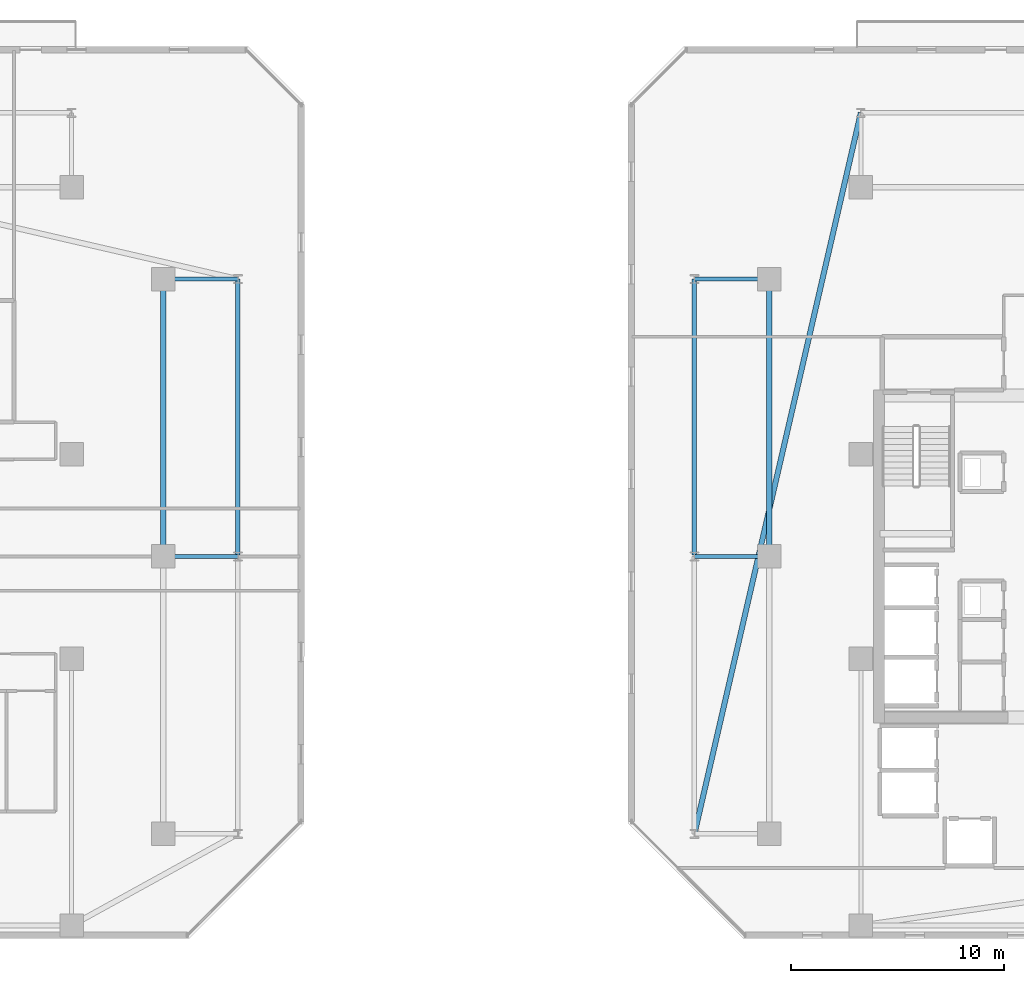
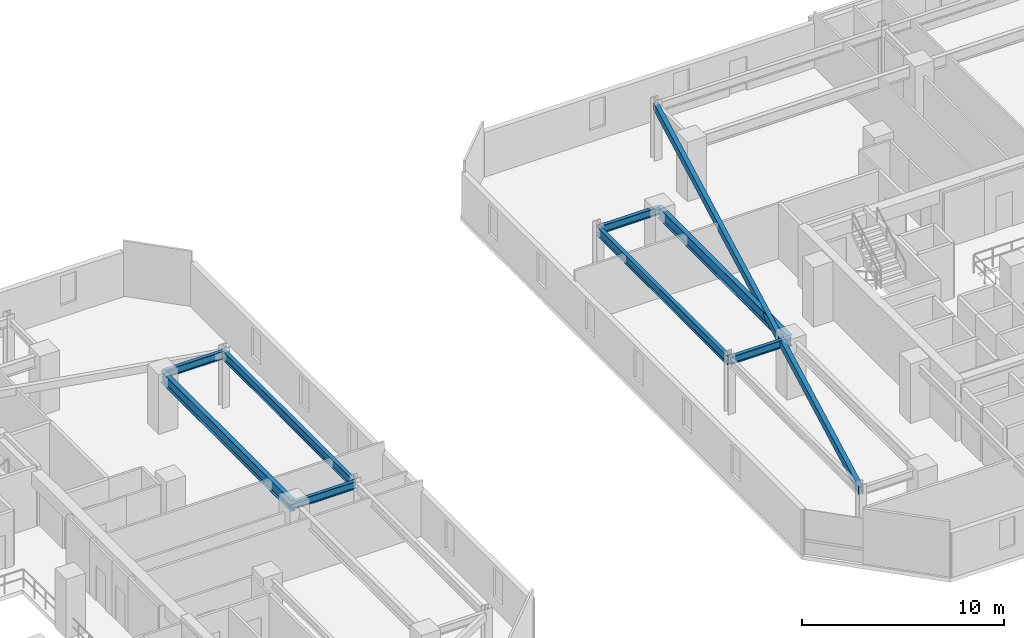
# One storey, part 7 of 33: 9 beams.
"""IFC4 building model written with IfcOpenShell, lengths in metres."""

from ifc_helpers import new_model, si_unit, direction, frame, origin, origin_2d, place, context, subcontext, project, spatial, hollow_rectangle, i_section, extrude, material, material_profile, profile_set, type_object, element, save


model = new_model("IFC4")

# Units and contexts
model_context = context("Model", 3, precision=1e-05, world=origin(), true_north=direction((0.0, 1.0)))
body_context = subcontext(model_context, "Body", "Model", "MODEL_VIEW")
ifc_project = project(units=[si_unit("LENGTHUNIT", "METRE"), si_unit("AREAUNIT", "SQUARE_METRE"), si_unit("VOLUMEUNIT", "CUBIC_METRE"), si_unit("PLANEANGLEUNIT", "RADIAN"), si_unit("MASSUNIT", "GRAM", prefix="KILO")], contexts=[model_context])

# Site, building, storey
site_placement = place(None, origin())
site = spatial("IfcSite", under=ifc_project, at=site_placement, CompositionType="ELEMENT")
building_placement = place(site_placement, origin())
building = spatial("IfcBuilding", under=site, at=building_placement, Name="Thornwick Lancets Civic Towers", CompositionType="ELEMENT")
storey_placement = place(building_placement, frame((0.0, 0.0, 185.699951171875)))
storey = spatial("IfcBuildingStorey", under=building, at=storey_placement, Name="L49", CompositionType="ELEMENT", Elevation=185.699951171875)

# Beams
ifc_material = material(Name="Steel S355JR", Category="steel")
ifc_material_profile_1 = material_profile(ifc_material, i_section(OverallWidth=0.210693359375, OverallDepth=0.53955078125, WebThickness=0.01171875, FlangeThickness=0.018798828125, FilletRadius=0.0126953125, at=origin_2d()), Name="UKB 533x210x109")
ifc_profile_set_1 = profile_set([ifc_material_profile_1], Name="Steel S355JR")
beam_type_1 = type_object("IfcBeamType", Name="BM_EDGE_533_109", PredefinedType="SPANDREL", material=ifc_profile_set_1)
for number, where, z_axis, x_axis, name in (
    (1, (46.300048828125, 27.080078125, 3.09033203125), (0.0, 1.0, 0.0), (-1.0, 0.0, 0.0), "BM-EDGE-L49-A-S1-2"),
    (2, (67.699951171875, 27.080078125, 3.09033203125), (0.0, 1.0, 0.0), (-1.0, 0.0, 0.0), "BM-EDGE-L49-B-S2-2"),
):
    element("IfcBeam", number, at=place(storey_placement, frame(where, z_axis=z_axis, x_axis=x_axis)), inside=storey, type_object=beam_type_1, Name=name, PredefinedType="SPANDREL", context=body_context, shape_type="SweptSolid", body=[
        extrude(i_section(OverallWidth=0.210693359375, OverallDepth=0.53955078125, WebThickness=0.01171875, FlangeThickness=0.018798828125, FilletRadius=0.0126953125, at=origin_2d()), origin(), (0.0, 0.0, 1.0), 12.919921875),
    ])
ifc_material_profile_2 = material_profile(ifc_material, i_section(OverallWidth=0.255859375, OverallDepth=0.69287109375, WebThickness=0.014404296875, FlangeThickness=0.023681640625, FilletRadius=0.01513671875, at=origin_2d()), Name="UKB 686x254x170")
ifc_profile_set_2 = profile_set([ifc_material_profile_2], Name="Steel S355JR")
beam_type_2 = type_object("IfcBeamType", Name="BM_GIRD_686_170", PredefinedType="BEAM", material=ifc_profile_set_2)
for number, where, z_axis, x_axis, name in (
    (3, (42.800048828125, 27.080078125, 3.013427734375), (0.0, 1.0, 0.0), (-1.0, 0.0, 0.0), "BM-SPINE-L49-A-4-5"),
    (4, (71.199951171875, 27.080078125, 3.013427734375), (0.0, 1.0, 0.0), (-1.0, 0.0, 0.0), "BM-SPINE-L49-B-7-8"),
):
    element("IfcBeam", number, at=place(storey_placement, frame(where, z_axis=z_axis, x_axis=x_axis)), inside=storey, type_object=beam_type_2, Name=name, PredefinedType="BEAM", context=body_context, shape_type="SweptSolid", body=[
        extrude(i_section(OverallWidth=0.255859375, OverallDepth=0.69287109375, WebThickness=0.014404296875, FlangeThickness=0.023681640625, FilletRadius=0.01513671875, at=origin_2d()), origin(), (0.0, 0.0, 1.0), 12.919921875),
    ])
ifc_material_profile_3 = material_profile(ifc_material, i_section(OverallWidth=0.19287109375, OverallDepth=0.46728515625, WebThickness=0.011474609375, FlangeThickness=0.01953125, FilletRadius=0.01025390625, at=origin_2d()), Name="UKB 457x191x98")
ifc_profile_set_3 = profile_set([ifc_material_profile_3], Name="Steel S355JR")
beam_type_3 = type_object("IfcBeamType", Name="BM_JOIST_457_98", PredefinedType="JOIST", material=ifc_profile_set_3)
for number, where, z_axis, x_axis, name in (
    (5, (42.800048828125, 27.0, 3.12646484375), (1.0, 0.0, 0.0), (0.0, 1.0, 0.0), "BM-RAD-L49-A05"),
    (6, (42.800048828125, 40.0, 3.12646484375), (1.0, 0.0, 0.0), (0.0, 1.0, 0.0), "BM-RAD-L49-A06"),
    (7, (71.199951171875, 27.0, 3.12646484375), (-1.0, 0.0, 0.0), (0.0, -1.0, 0.0), "BM-RAD-L49-B08"),
    (8, (71.199951171875, 40.0, 3.12646484375), (-1.0, 0.0, 0.0), (0.0, -1.0, 0.0), "BM-RAD-L49-B09"),
):
    element("IfcBeam", number, at=place(storey_placement, frame(where, z_axis=z_axis, x_axis=x_axis)), inside=storey, type_object=beam_type_3, Name=name, PredefinedType="JOIST", context=body_context, shape_type="SweptSolid", body=[
        extrude(i_section(OverallWidth=0.19287109375, OverallDepth=0.46728515625, WebThickness=0.011474609375, FlangeThickness=0.01953125, FilletRadius=0.01025390625, at=origin_2d()), origin(), (0.0, 0.0, 1.0), 3.5),
    ])
ifc_material_profile_4 = material_profile(ifc_material, hollow_rectangle(XDim=0.25, YDim=0.449951171875, WallThickness=0.01611328125, at=origin_2d()), Name="RHS 450x250x16")
ifc_profile_set_4 = profile_set([ifc_material_profile_4], Name="Steel S355JR")
beam_type_4 = type_object("IfcBeamType", Name="BM_RING_RHS450", PredefinedType="BEAM", material=ifc_profile_set_4)
beam_placement = place(storey_placement, frame((75.5, 47.800048828125, 3.135009765625), z_axis=(-0.224860534737, -0.974390958454, 0.0), x_axis=(0.974390958454, -0.224860534737, 0.0)))
element("IfcBeam", 9, at=beam_placement, inside=storey, type_object=beam_type_4, Name="BM-CHAMF-L49-B-C1", PredefinedType="BEAM", context=body_context, shape_type="SweptSolid", body=[
    extrude(hollow_rectangle(XDim=0.25, YDim=0.449951171875, WallThickness=0.01611328125, at=origin_2d()), origin(), (0.0, 0.0, 1.0), 34.6884765625),
])

save(model, "model.ifc")
